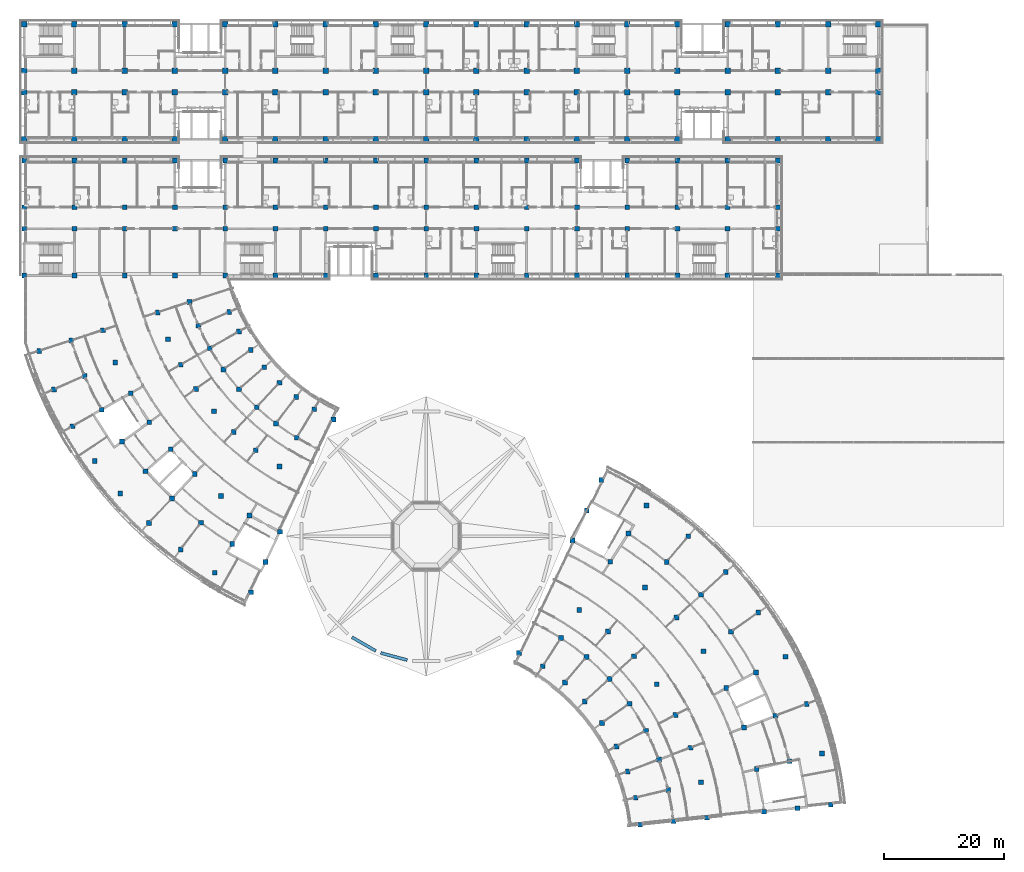
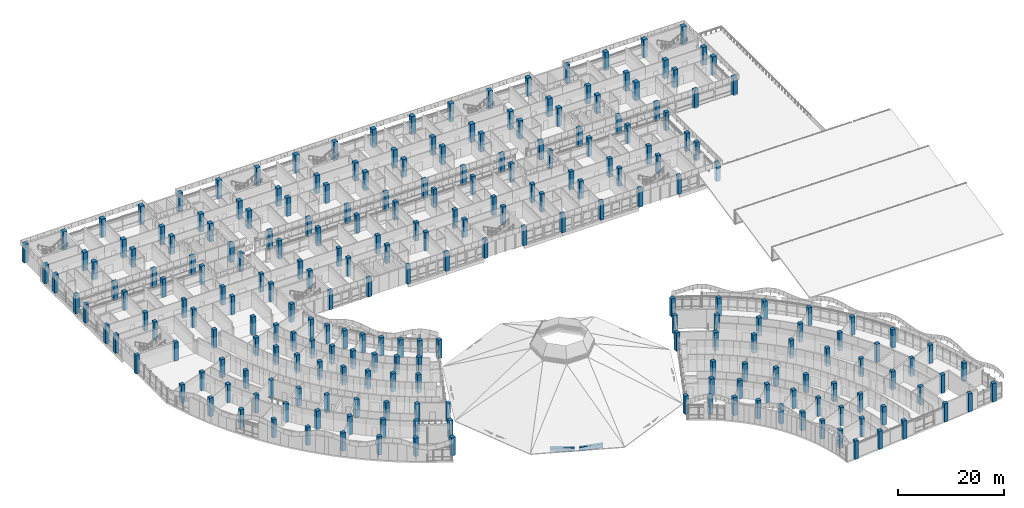
# One storey, part 1 of 137: 239 columns, 2 beams.
"""IFC4 building model written with IfcOpenShell, lengths in metres."""

from ifc_helpers import new_model, si_unit, direction, frame, origin, origin_2d, place, context, subcontext, project, spatial, rectangle, extrude, material, material_profile, profile_set, type_object, element, save


model = new_model("IFC4")

# Units and contexts
model_context = context("Model", 3, precision=1e-05, world=origin(), true_north=direction((0.0, 1.0)))
body_context = subcontext(model_context, "Body", "Model", "MODEL_VIEW")
ifc_project = project(units=[si_unit("LENGTHUNIT", "METRE"), si_unit("AREAUNIT", "SQUARE_METRE"), si_unit("VOLUMEUNIT", "CUBIC_METRE"), si_unit("PLANEANGLEUNIT", "RADIAN"), si_unit("MASSUNIT", "GRAM", prefix="KILO")], contexts=[model_context])

# Site, building, storey
site_placement = place(None, origin())
site = spatial("IfcSite", under=ifc_project, at=site_placement, CompositionType="ELEMENT")
building_placement = place(site_placement, origin())
building = spatial("IfcBuilding", under=site, at=building_placement, Name="Bougainvillea Quay General Hospital", CompositionType="ELEMENT")
storey_placement = place(building_placement, frame((0.0, 0.0, 16.800048828125)))
storey = spatial("IfcBuildingStorey", under=building, at=storey_placement, Name="L03", CompositionType="ELEMENT", Elevation=16.800048828125)

# Columns
ifc_material = material(Name="Concrete C40", Category="concrete")
ifc_material_profile_1 = material_profile(ifc_material, rectangle(XDim=0.800048828125, YDim=0.800048828125, at=origin_2d()))
ifc_profile_set_1 = profile_set([ifc_material_profile_1], Name="Concrete C40")
column_type_1 = type_object("IfcColumnType", Name="RC COL 800x800 C40", PredefinedType="COLUMN", material=ifc_profile_set_1)
for number, where, z_axis, x_axis, name in (
    (1, (42.0, 117.60009765625, 0.0), (0.0, 0.0, 1.0), (1.0, 0.0, 0.0), "Column C-V4-000 L03"),
    (2, (42.0, 125.39990234375, 0.0), (0.0, 0.0, 1.0), (1.0, 0.0, 0.0), "Column C-V4-001 L03"),
    (3, (42.0, 129.0, 0.0), (0.0, 0.0, 1.0), (1.0, 0.0, 0.0), "Column C-V4-002 L03"),
    (4, (42.0, 136.800048828125, 0.0), (0.0, 0.0, 1.0), (1.0, 0.0, 0.0), "Column C-V4-003 L03"),
    (5, (44.530029296875, 104.98193359375, 0.0), (0.0, 0.0, 1.0), (1.0, 0.0, 0.0), "Column C-V6-W80 L03"),
    (6, (46.989990234375, 98.5419921875, 0.0), (0.0, 0.0, 1.0), (1.0, 0.0, 0.0), "Column C-V6-W70 L03"),
    (7, (49.85498046875, 106.712890625, 0.0), (0.0, 0.0, 1.0), (1.0, 0.0, 0.0), "Column C-V6-W81 L03"),
    (8, (50.091064453125, 92.383056640625, 0.0), (0.0, 0.0, 1.0), (1.0, 0.0, 0.0), "Column C-V6-W60 L03"),
    (9, (50.39990234375, 117.60009765625, 0.0), (0.0, 0.0, 1.0), (1.0, 0.0, 0.0), "Column C-V4-010 L03"),
    (10, (50.39990234375, 125.39990234375, 0.0), (0.0, 0.0, 1.0), (1.0, 0.0, 0.0), "Column C-V4-011 L03"),
    (11, (50.39990234375, 129.0, 0.0), (0.0, 0.0, 1.0), (1.0, 0.0, 0.0), "Column C-V4-012 L03"),
    (12, (50.39990234375, 136.800048828125, 0.0), (0.0, 0.0, 1.0), (1.0, 0.0, 0.0), "Column C-V4-013 L03"),
    (13, (52.114013671875, 100.802978515625, 0.0), (0.0, 0.0, 1.0), (1.0, 0.0, 0.0), "Column C-V6-W71 L03"),
    (14, (53.799072265625, 86.570068359375, 0.0), (0.0, 0.0, 1.0), (1.0, 0.0, 0.0), "Column C-V6-W50 L03"),
    (15, (54.958984375, 95.152099609375, 0.0), (0.0, 0.0, 1.0), (1.0, 0.0, 0.0), "Column C-V6-W61 L03"),
    (16, (55.180908203125, 108.444091796875, 0.0), (0.0, 0.0, 1.0), (1.0, 0.0, 0.0), "Column C-V6-W82 L03"),
    (17, (57.237060546875, 103.06396484375, 0.0), (0.0, 0.0, 1.0), (1.0, 0.0, 0.0), "Column C-V6-W72 L03"),
    (18, (58.075927734375, 81.1630859375, 0.0), (0.0, 0.0, 1.0), (1.0, 0.0, 0.0), "Column C-V6-W40 L03"),
    (19, (58.361083984375, 89.81689453125, 0.0), (0.0, 0.0, 1.0), (1.0, 0.0, 0.0), "Column C-V6-W51 L03"),
    (20, (58.800048828125, 117.60009765625, 0.0), (0.0, 0.0, 1.0), (1.0, 0.0, 0.0), "Column C-V4-020 L03"),
    (21, (58.800048828125, 125.39990234375, 0.0), (0.0, 0.0, 1.0), (1.0, 0.0, 0.0), "Column C-V4-021 L03"),
    (22, (58.800048828125, 129.0, 0.0), (0.0, 0.0, 1.0), (1.0, 0.0, 0.0), "Column C-V4-022 L03"),
    (23, (58.800048828125, 136.800048828125, 0.0), (0.0, 0.0, 1.0), (1.0, 0.0, 0.0), "Column C-V4-023 L03"),
    (24, (59.825927734375, 97.919921875, 0.0), (0.0, 0.0, 1.0), (1.0, 0.0, 0.0), "Column C-V6-W62 L03"),
    (25, (62.287109375, 84.85498046875, 0.0), (0.0, 0.0, 1.0), (1.0, 0.0, 0.0), "Column C-V6-W41 L03"),
    (26, (62.8798828125, 76.216064453125, 0.0), (0.0, 0.0, 1.0), (1.0, 0.0, 0.0), "Column C-V6-W30 L03"),
    (27, (62.924072265625, 93.06494140625, 0.0), (0.0, 0.0, 1.0), (1.0, 0.0, 0.0), "Column C-V6-W52 L03"),
    (28, (64.31103515625, 111.410888671875, 0.0), (0.0, 0.0, 1.0), (1.0, 0.0, 0.0), "Column C-V6-W83 L03"),
    (29, (66.01904296875, 106.94091796875, 0.0), (0.0, 0.0, 1.0), (1.0, 0.0, 0.0), "Column C-V6-W73 L03"),
    (30, (66.4970703125, 88.548095703125, 0.0), (0.0, 0.0, 1.0), (1.0, 0.0, 0.0), "Column C-V6-W42 L03"),
    (31, (66.694091796875, 80.31591796875, 0.0), (0.0, 0.0, 1.0), (1.0, 0.0, 0.0), "Column C-V6-W31 L03"),
    (32, (67.199951171875, 117.60009765625, 0.0), (0.0, 0.0, 1.0), (1.0, 0.0, 0.0), "Column C-V4-030 L03"),
    (33, (67.199951171875, 125.39990234375, 0.0), (0.0, 0.0, 1.0), (1.0, 0.0, 0.0), "Column C-V4-031 L03"),
    (34, (67.199951171875, 129.0, 0.0), (0.0, 0.0, 1.0), (1.0, 0.0, 0.0), "Column C-V4-032 L03"),
    (35, (67.199951171875, 136.800048828125, 0.0), (0.0, 0.0, 1.0), (1.0, 0.0, 0.0), "Column C-V4-033 L03"),
    (36, (68.158935546875, 71.781005859375, 0.0), (0.0, 0.0, 1.0), (1.0, 0.0, 0.0), "Column C-V6-W20 L03"),
    (37, (68.1708984375, 102.666015625, 0.0), (0.0, 0.0, 1.0), (1.0, 0.0, 0.0), "Column C-V6-W63 L03"),
    (38, (69.636962890625, 113.14208984375, 0.0), (0.0, 0.0, 1.0), (1.0, 0.0, 0.0), "Column C-V6-W84 L03"),
    (39, (70.509033203125, 84.416015625, 0.0), (0.0, 0.0, 1.0), (1.0, 0.0, 0.0), "Column C-V6-W32 L03"),
    (40, (70.7451171875, 98.631103515625, 0.0), (0.0, 0.0, 1.0), (1.0, 0.0, 0.0), "Column C-V6-W53 L03"),
    (41, (71.14208984375, 109.201904296875, 0.0), (0.0, 0.0, 1.0), (1.0, 0.0, 0.0), "Column C-V6-W74 L03"),
    (42, (71.5390625, 76.2470703125, 0.0), (0.0, 0.0, 1.0), (1.0, 0.0, 0.0), "Column C-V6-W21 L03"),
    (43, (73.0390625, 105.43408203125, 0.0), (0.0, 0.0, 1.0), (1.0, 0.0, 0.0), "Column C-V6-W64 L03"),
    (44, (73.714111328125, 94.8779296875, 0.0), (0.0, 0.0, 1.0), (1.0, 0.0, 0.0), "Column C-V6-W43 L03"),
    (45, (73.861083984375, 67.904052734375, 0.0), (0.0, 0.0, 1.0), (1.0, 0.0, 0.0), "Column C-V6-W10 L03"),
    (46, (74.9189453125, 80.7119140625, 0.0), (0.0, 0.0, 1.0), (1.0, 0.0, 0.0), "Column C-V6-W22 L03"),
    (47, (75.30810546875, 101.8779296875, 0.0), (0.0, 0.0, 1.0), (1.0, 0.0, 0.0), "Column C-V6-W54 L03"),
    (48, (75.60009765625, 117.60009765625, 0.0), (0.0, 0.0, 1.0), (1.0, 0.0, 0.0), "Column C-V4-040 L03"),
    (49, (75.60009765625, 125.39990234375, 0.0), (0.0, 0.0, 1.0), (1.0, 0.0, 0.0), "Column C-V4-041 L03"),
    (50, (75.60009765625, 129.0, 0.0), (0.0, 0.0, 1.0), (1.0, 0.0, 0.0), "Column C-V4-042 L03"),
    (51, (75.60009765625, 136.800048828125, 0.0), (0.0, 0.0, 1.0), (1.0, 0.0, 0.0), "Column C-V4-043 L03"),
    (52, (76.26611328125, 111.462890625, 0.0), (0.0, 0.0, 1.0), (1.0, 0.0, 0.0), "Column C-V6-W75 L03"),
    (53, (76.77099609375, 72.68896484375, 0.0), (0.0, 0.0, 1.0), (1.0, 0.0, 0.0), "Column C-V6-W11 L03"),
    (54, (77.048095703125, 91.444091796875, 0.0), (0.0, 0.0, 1.0), (1.0, 0.0, 0.0), "Column C-V6-W33 L03"),
    (55, (77.906982421875, 108.202880859375, 0.0), (0.0, 0.0, 1.0), (1.0, 0.0, 0.0), "Column C-V6-W65 L03"),
    (56, (77.924072265625, 98.570068359375, 0.0), (0.0, 0.0, 1.0), (1.0, 0.0, 0.0), "Column C-V6-W44 L03"),
    (57, (79.680908203125, 77.472900390625, 0.0), (0.0, 0.0, 1.0), (1.0, 0.0, 0.0), "Column C-V6-W12 L03"),
    (58, (79.8701171875, 105.125, 0.0), (0.0, 0.0, 1.0), (1.0, 0.0, 0.0), "Column C-V6-W55 L03"),
    (59, (79.925048828125, 64.6240234375, 0.0), (0.0, 0.0, 1.0), (1.0, 0.0, 0.0), "Column C-V6-W00 L03"),
    (60, (80.712890625, 88.365966796875, 0.0), (0.0, 0.0, 1.0), (1.0, 0.0, 0.0), "Column C-V6-W23 L03"),
    (61, (80.863037109375, 95.5439453125, 0.0), (0.0, 0.0, 1.0), (1.0, 0.0, 0.0), "Column C-V6-W34 L03"),
    (62, (82.135009765625, 102.262939453125, 0.0), (0.0, 0.0, 1.0), (1.0, 0.0, 0.0), "Column C-V6-W45 L03"),
    (63, (82.3359375, 69.678955078125, 0.0), (0.0, 0.0, 1.0), (1.0, 0.0, 0.0), "Column C-V6-W01 L03"),
    (64, (84.0, 117.60009765625, 0.0), (0.0, 0.0, 1.0), (1.0, 0.0, 0.0), "Column C-V4-050 L03"),
    (65, (84.0, 125.39990234375, 0.0), (0.0, 0.0, 1.0), (1.0, 0.0, 0.0), "Column C-V4-051 L03"),
    (66, (84.0, 129.0, 0.0), (0.0, 0.0, 1.0), (1.0, 0.0, 0.0), "Column C-V4-052 L03"),
    (67, (84.0, 136.800048828125, 0.0), (0.0, 0.0, 1.0), (1.0, 0.0, 0.0), "Column C-V4-053 L03"),
    (68, (84.093017578125, 92.8310546875, 0.0), (0.0, 0.0, 1.0), (1.0, 0.0, 0.0), "Column C-V6-W24 L03"),
    (69, (84.669921875, 85.675048828125, 0.0), (0.0, 0.0, 1.0), (1.0, 0.0, 0.0), "Column C-V6-W13 L03"),
    (70, (84.677001953125, 99.64404296875, 0.0), (0.0, 0.0, 1.0), (1.0, 0.0, 0.0), "Column C-V6-W35 L03"),
    (71, (84.7470703125, 74.73291015625, 0.0), (0.0, 0.0, 1.0), (1.0, 0.0, 0.0), "Column C-V6-W02 L03"),
    (72, (87.471923828125, 97.2958984375, 0.0), (0.0, 0.0, 1.0), (1.0, 0.0, 0.0), "Column C-V6-W25 L03"),
    (73, (87.5810546875, 90.458984375, 0.0), (0.0, 0.0, 1.0), (1.0, 0.0, 0.0), "Column C-V6-W14 L03"),
    (74, (90.490966796875, 95.242919921875, 0.0), (0.0, 0.0, 1.0), (1.0, 0.0, 0.0), "Column C-V6-W15 L03"),
    (75, (92.39990234375, 117.60009765625, 0.0), (0.0, 0.0, 1.0), (1.0, 0.0, 0.0), "Column C-V4-060 L03"),
    (76, (92.39990234375, 125.39990234375, 0.0), (0.0, 0.0, 1.0), (1.0, 0.0, 0.0), "Column C-V4-061 L03"),
    (77, (92.39990234375, 129.0, 0.0), (0.0, 0.0, 1.0), (1.0, 0.0, 0.0), "Column C-V4-062 L03"),
    (78, (92.39990234375, 136.800048828125, 0.0), (0.0, 0.0, 1.0), (1.0, 0.0, 0.0), "Column C-V4-063 L03"),
    (79, (93.701904296875, 93.507080078125, 0.0), (0.0, 0.0, 1.0), (1.0, 0.0, 0.0), "Column C-V6-W05 L03"),
    (80, (100.800048828125, 117.60009765625, 0.0), (0.0, 0.0, 1.0), (1.0, 0.0, 0.0), "Column C-V4-070 L03"),
    (81, (100.800048828125, 125.39990234375, 0.0), (0.0, 0.0, 1.0), (1.0, 0.0, 0.0), "Column C-V4-071 L03"),
    (82, (100.800048828125, 129.0, 0.0), (0.0, 0.0, 1.0), (1.0, 0.0, 0.0), "Column C-V4-072 L03"),
    (83, (100.800048828125, 136.800048828125, 0.0), (0.0, 0.0, 1.0), (1.0, 0.0, 0.0), "Column C-V4-073 L03"),
    (84, (109.199951171875, 117.60009765625, 0.0), (0.0, 0.0, 1.0), (1.0, 0.0, 0.0), "Column C-V4-080 L03"),
    (85, (109.199951171875, 125.39990234375, 0.0), (0.0, 0.0, 1.0), (1.0, 0.0, 0.0), "Column C-V4-081 L03"),
    (86, (109.199951171875, 129.0, 0.0), (0.0, 0.0, 1.0), (1.0, 0.0, 0.0), "Column C-V4-082 L03"),
    (87, (109.199951171875, 136.800048828125, 0.0), (0.0, 0.0, 1.0), (1.0, 0.0, 0.0), "Column C-V4-083 L03"),
    (88, (117.60009765625, 117.60009765625, 0.0), (0.0, 0.0, 1.0), (1.0, 0.0, 0.0), "Column C-V4-090 L03"),
    (89, (117.60009765625, 125.39990234375, 0.0), (0.0, 0.0, 1.0), (1.0, 0.0, 0.0), "Column C-V4-091 L03"),
    (90, (117.60009765625, 129.0, 0.0), (0.0, 0.0, 1.0), (1.0, 0.0, 0.0), "Column C-V4-092 L03"),
    (91, (117.60009765625, 136.800048828125, 0.0), (0.0, 0.0, 1.0), (1.0, 0.0, 0.0), "Column C-V4-093 L03"),
    (92, (124.697998046875, 54.492919921875, 0.0), (0.0, 0.0, 1.0), (1.0, 0.0, 0.0), "Column C-V6-E05 L03"),
    (93, (126.0, 117.60009765625, 0.0), (0.0, 0.0, 1.0), (1.0, 0.0, 0.0), "Column C-V4-100 L03"),
    (94, (126.0, 125.39990234375, 0.0), (0.0, 0.0, 1.0), (1.0, 0.0, 0.0), "Column C-V4-101 L03"),
    (95, (126.0, 129.0, 0.0), (0.0, 0.0, 1.0), (1.0, 0.0, 0.0), "Column C-V4-102 L03"),
    (96, (126.0, 136.800048828125, 0.0), (0.0, 0.0, 1.0), (1.0, 0.0, 0.0), "Column C-V4-103 L03"),
    (97, (128.7080078125, 52.256103515625, 0.0), (0.0, 0.0, 1.0), (1.0, 0.0, 0.0), "Column C-V6-E15 L03"),
    (98, (131.741943359375, 56.962890625, 0.0), (0.0, 0.0, 1.0), (1.0, 0.0, 0.0), "Column C-V6-E14 L03"),
    (99, (132.39990234375, 49.527099609375, 0.0), (0.0, 0.0, 1.0), (1.0, 0.0, 0.0), "Column C-V6-E25 L03"),
    (100, (133.653076171875, 73.26708984375, 0.0), (0.0, 0.0, 1.0), (1.0, 0.0, 0.0), "Column C-V6-E02 L03"),
    (101, (134.39990234375, 117.60009765625, 0.0), (0.0, 0.0, 1.0), (1.0, 0.0, 0.0), "Column C-V4-110 L03"),
    (102, (134.39990234375, 125.39990234375, 0.0), (0.0, 0.0, 1.0), (1.0, 0.0, 0.0), "Column C-V4-111 L03"),
    (103, (134.39990234375, 129.0, 0.0), (0.0, 0.0, 1.0), (1.0, 0.0, 0.0), "Column C-V4-112 L03"),
    (104, (134.39990234375, 136.800048828125, 0.0), (0.0, 0.0, 1.0), (1.0, 0.0, 0.0), "Column C-V4-113 L03"),
    (105, (134.777099609375, 61.6689453125, 0.0), (0.0, 0.0, 1.0), (1.0, 0.0, 0.0), "Column C-V6-E13 L03"),
    (106, (135.715087890625, 46.35107421875, 0.0), (0.0, 0.0, 1.0), (1.0, 0.0, 0.0), "Column C-V6-E35 L03"),
    (107, (136.009033203125, 53.81005859375, 0.0), (0.0, 0.0, 1.0), (1.0, 0.0, 0.0), "Column C-V6-E24 L03"),
    (108, (136.06396484375, 78.321044921875, 0.0), (0.0, 0.0, 1.0), (1.0, 0.0, 0.0), "Column C-V6-E01 L03"),
    (109, (138.47509765625, 83.3759765625, 0.0), (0.0, 0.0, 1.0), (1.0, 0.0, 0.0), "Column C-V6-E00 L03"),
    (110, (138.597900390625, 42.778076171875, 0.0), (0.0, 0.0, 1.0), (1.0, 0.0, 0.0), "Column C-V6-E45 L03"),
    (111, (139.617919921875, 58.092041015625, 0.0), (0.0, 0.0, 1.0), (1.0, 0.0, 0.0), "Column C-V6-E23 L03"),
    (112, (139.839111328125, 50.138916015625, 0.0), (0.0, 0.0, 1.0), (1.0, 0.0, 0.0), "Column C-V6-E34 L03"),
    (113, (139.97900390625, 69.738037109375, 0.0), (0.0, 0.0, 1.0), (1.0, 0.0, 0.0), "Column C-V6-E12 L03"),
    (114, (141.00390625, 38.867919921875, 0.0), (0.0, 0.0, 1.0), (1.0, 0.0, 0.0), "Column C-V6-E55 L03"),
    (115, (142.800048828125, 117.60009765625, 0.0), (0.0, 0.0, 1.0), (1.0, 0.0, 0.0), "Column C-V4-120 L03"),
    (116, (142.800048828125, 125.39990234375, 0.0), (0.0, 0.0, 1.0), (1.0, 0.0, 0.0), "Column C-V4-121 L03"),
    (117, (142.800048828125, 129.0, 0.0), (0.0, 0.0, 1.0), (1.0, 0.0, 0.0), "Column C-V4-122 L03"),
    (118, (142.800048828125, 136.800048828125, 0.0), (0.0, 0.0, 1.0), (1.0, 0.0, 0.0), "Column C-V4-123 L03"),
    (119, (142.89208984375, 34.68310546875, 0.0), (0.0, 0.0, 1.0), (1.0, 0.0, 0.0), "Column C-V6-E65 L03"),
    (120, (143.013916015625, 74.444091796875, 0.0), (0.0, 0.0, 1.0), (1.0, 0.0, 0.0), "Column C-V6-E11 L03"),
    (121, (143.1708984375, 46.010009765625, 0.0), (0.0, 0.0, 1.0), (1.0, 0.0, 0.0), "Column C-V6-E44 L03"),
    (122, (143.964111328125, 53.927001953125, 0.0), (0.0, 0.0, 1.0), (1.0, 0.0, 0.0), "Column C-V6-E33 L03"),
    (123, (144.23193359375, 30.2919921875, 0.0), (0.0, 0.0, 1.0), (1.0, 0.0, 0.0), "Column C-V6-E75 L03"),
    (124, (145.0029296875, 25.76611328125, 0.0), (0.0, 0.0, 1.0), (1.0, 0.0, 0.0), "Column C-V6-E85 L03"),
    (125, (145.803955078125, 65.431884765625, 0.0), (0.0, 0.0, 1.0), (1.0, 0.0, 0.0), "Column C-V6-E22 L03"),
    (126, (145.950927734375, 41.491943359375, 0.0), (0.0, 0.0, 1.0), (1.0, 0.0, 0.0), "Column C-V6-E54 L03"),
    (127, (146.048095703125, 79.15087890625, 0.0), (0.0, 0.0, 1.0), (1.0, 0.0, 0.0), "Column C-V6-E10 L03"),
    (128, (147.7451171875, 49.242919921875, 0.0), (0.0, 0.0, 1.0), (1.0, 0.0, 0.0), "Column C-V6-E43 L03"),
    (129, (148.133056640625, 36.656005859375, 0.0), (0.0, 0.0, 1.0), (1.0, 0.0, 0.0), "Column C-V6-E64 L03"),
    (130, (149.4130859375, 69.714111328125, 0.0), (0.0, 0.0, 1.0), (1.0, 0.0, 0.0), "Column C-V6-E21 L03"),
    (131, (149.681884765625, 31.5810546875, 0.0), (0.0, 0.0, 1.0), (1.0, 0.0, 0.0), "Column C-V6-E74 L03"),
    (132, (150.572021484375, 26.35107421875, 0.0), (0.0, 0.0, 1.0), (1.0, 0.0, 0.0), "Column C-V6-E84 L03"),
    (133, (150.89794921875, 44.114990234375, 0.0), (0.0, 0.0, 1.0), (1.0, 0.0, 0.0), "Column C-V6-E53 L03"),
    (134, (151.033935546875, 60.419921875, 0.0), (0.0, 0.0, 1.0), (1.0, 0.0, 0.0), "Column C-V6-E32 L03"),
    (135, (151.199951171875, 117.60009765625, 0.0), (0.0, 0.0, 1.0), (1.0, 0.0, 0.0), "Column C-V4-130 L03"),
    (136, (151.199951171875, 125.39990234375, 0.0), (0.0, 0.0, 1.0), (1.0, 0.0, 0.0), "Column C-V4-131 L03"),
    (137, (151.199951171875, 129.0, 0.0), (0.0, 0.0, 1.0), (1.0, 0.0, 0.0), "Column C-V4-132 L03"),
    (138, (151.199951171875, 136.800048828125, 0.0), (0.0, 0.0, 1.0), (1.0, 0.0, 0.0), "Column C-V4-133 L03"),
    (139, (153.02197265625, 73.99609375, 0.0), (0.0, 0.0, 1.0), (1.0, 0.0, 0.0), "Column C-V6-E20 L03"),
    (140, (153.3740234375, 38.62890625, 0.0), (0.0, 0.0, 1.0), (1.0, 0.0, 0.0), "Column C-V6-E63 L03"),
    (141, (155.131103515625, 32.87109375, 0.0), (0.0, 0.0, 1.0), (1.0, 0.0, 0.0), "Column C-V6-E73 L03"),
    (142, (155.158935546875, 64.2080078125, 0.0), (0.0, 0.0, 1.0), (1.0, 0.0, 0.0), "Column C-V6-E31 L03"),
    (143, (155.583984375, 54.782958984375, 0.0), (0.0, 0.0, 1.0), (1.0, 0.0, 0.0), "Column C-V6-E42 L03"),
    (144, (156.14111328125, 26.93701171875, 0.0), (0.0, 0.0, 1.0), (1.0, 0.0, 0.0), "Column C-V6-E83 L03"),
    (145, (159.283935546875, 67.99609375, 0.0), (0.0, 0.0, 1.0), (1.0, 0.0, 0.0), "Column C-V6-E30 L03"),
    (146, (159.37890625, 48.613037109375, 0.0), (0.0, 0.0, 1.0), (1.0, 0.0, 0.0), "Column C-V6-E52 L03"),
    (147, (159.60009765625, 117.60009765625, 0.0), (0.0, 0.0, 1.0), (1.0, 0.0, 0.0), "Column C-V4-140 L03"),
    (148, (159.60009765625, 125.39990234375, 0.0), (0.0, 0.0, 1.0), (1.0, 0.0, 0.0), "Column C-V4-141 L03"),
    (149, (159.60009765625, 129.0, 0.0), (0.0, 0.0, 1.0), (1.0, 0.0, 0.0), "Column C-V4-142 L03"),
    (150, (159.60009765625, 136.800048828125, 0.0), (0.0, 0.0, 1.0), (1.0, 0.0, 0.0), "Column C-V4-143 L03"),
    (151, (160.156982421875, 58.01611328125, 0.0), (0.0, 0.0, 1.0), (1.0, 0.0, 0.0), "Column C-V6-E41 L03"),
    (152, (162.35791015625, 42.010986328125, 0.0), (0.0, 0.0, 1.0), (1.0, 0.0, 0.0), "Column C-V6-E62 L03"),
    (153, (164.326904296875, 51.237060546875, 0.0), (0.0, 0.0, 1.0), (1.0, 0.0, 0.0), "Column C-V6-E51 L03"),
    (154, (164.472900390625, 35.08203125, 0.0), (0.0, 0.0, 1.0), (1.0, 0.0, 0.0), "Column C-V6-E72 L03"),
    (155, (164.72998046875, 61.248046875, 0.0), (0.0, 0.0, 1.0), (1.0, 0.0, 0.0), "Column C-V6-E40 L03"),
    (156, (165.68798828125, 27.94091796875, 0.0), (0.0, 0.0, 1.0), (1.0, 0.0, 0.0), "Column C-V6-E82 L03"),
    (157, (167.59912109375, 43.98291015625, 0.0), (0.0, 0.0, 1.0), (1.0, 0.0, 0.0), "Column C-V6-E61 L03"),
    (158, (168.0, 117.60009765625, 0.0), (0.0, 0.0, 1.0), (1.0, 0.0, 0.0), "Column C-V4-150 L03"),
    (159, (168.0, 125.39990234375, 0.0), (0.0, 0.0, 1.0), (1.0, 0.0, 0.0), "Column C-V4-151 L03"),
    (160, (168.0, 129.0, 0.0), (0.0, 0.0, 1.0), (1.0, 0.0, 0.0), "Column C-V4-152 L03"),
    (161, (168.0, 136.800048828125, 0.0), (0.0, 0.0, 1.0), (1.0, 0.0, 0.0), "Column C-V4-153 L03"),
    (162, (169.27392578125, 53.861083984375, 0.0), (0.0, 0.0, 1.0), (1.0, 0.0, 0.0), "Column C-V6-E50 L03"),
    (163, (169.922119140625, 36.3720703125, 0.0), (0.0, 0.0, 1.0), (1.0, 0.0, 0.0), "Column C-V6-E71 L03"),
    (164, (171.258056640625, 28.527099609375, 0.0), (0.0, 0.0, 1.0), (1.0, 0.0, 0.0), "Column C-V6-E81 L03"),
    (165, (172.840087890625, 45.9560546875, 0.0), (0.0, 0.0, 1.0), (1.0, 0.0, 0.0), "Column C-V6-E60 L03"),
    (166, (175.3720703125, 37.662109375, 0.0), (0.0, 0.0, 1.0), (1.0, 0.0, 0.0), "Column C-V6-E70 L03"),
    (167, (176.826904296875, 29.113037109375, 0.0), (0.0, 0.0, 1.0), (1.0, 0.0, 0.0), "Column C-V6-E80 L03"),
):
    element("IfcColumn", number, at=place(storey_placement, frame(where, z_axis=z_axis, x_axis=x_axis)), inside=storey, type_object=column_type_1, Name=name, PredefinedType="COLUMN", context=body_context, shape_type="SweptSolid", body=[
        extrude(rectangle(XDim=0.800048828125, YDim=0.800048828125, at=origin_2d()), origin(), (0.0, 0.0, 1.0), 4.199951171875),
    ])
ifc_material_profile_2 = material_profile(ifc_material, rectangle(XDim=0.89990234375, YDim=0.89990234375, at=origin_2d()))
ifc_profile_set_2 = profile_set([ifc_material_profile_2], Name="Concrete C40")
column_type_2 = type_object("IfcColumnType", Name="RC COL 900x900 C40", PredefinedType="COLUMN", material=ifc_profile_set_2)
for number, where, z_axis, x_axis, name in (
    (168, (42.0, 140.39990234375, 0.0), (0.0, 0.0, 1.0), (1.0, 0.0, 0.0), "Column C-V4-004 L03"),
    (169, (42.0, 148.199951171875, 0.0), (0.0, 0.0, 1.0), (1.0, 0.0, 0.0), "Column C-V4-005 L03"),
    (170, (42.0, 151.800048828125, 0.0), (0.0, 0.0, 1.0), (1.0, 0.0, 0.0), "Column C-V4-006 L03"),
    (171, (42.0, 159.60009765625, 0.0), (0.0, 0.0, 1.0), (1.0, 0.0, 0.0), "Column C-V4-007 L03"),
    (172, (50.39990234375, 140.39990234375, 0.0), (0.0, 0.0, 1.0), (1.0, 0.0, 0.0), "Column C-V4-014 L03"),
    (173, (50.39990234375, 148.199951171875, 0.0), (0.0, 0.0, 1.0), (1.0, 0.0, 0.0), "Column C-V4-015 L03"),
    (174, (50.39990234375, 151.800048828125, 0.0), (0.0, 0.0, 1.0), (1.0, 0.0, 0.0), "Column C-V4-016 L03"),
    (175, (50.39990234375, 159.60009765625, 0.0), (0.0, 0.0, 1.0), (1.0, 0.0, 0.0), "Column C-V4-017 L03"),
    (176, (58.800048828125, 140.39990234375, 0.0), (0.0, 0.0, 1.0), (1.0, 0.0, 0.0), "Column C-V4-024 L03"),
    (177, (58.800048828125, 148.199951171875, 0.0), (0.0, 0.0, 1.0), (1.0, 0.0, 0.0), "Column C-V4-025 L03"),
    (178, (58.800048828125, 151.800048828125, 0.0), (0.0, 0.0, 1.0), (1.0, 0.0, 0.0), "Column C-V4-026 L03"),
    (179, (58.800048828125, 159.60009765625, 0.0), (0.0, 0.0, 1.0), (1.0, 0.0, 0.0), "Column C-V4-027 L03"),
    (180, (67.199951171875, 140.39990234375, 0.0), (0.0, 0.0, 1.0), (1.0, 0.0, 0.0), "Column C-V4-034 L03"),
    (181, (67.199951171875, 148.199951171875, 0.0), (0.0, 0.0, 1.0), (1.0, 0.0, 0.0), "Column C-V4-035 L03"),
    (182, (67.199951171875, 151.800048828125, 0.0), (0.0, 0.0, 1.0), (1.0, 0.0, 0.0), "Column C-V4-036 L03"),
    (183, (67.199951171875, 159.60009765625, 0.0), (0.0, 0.0, 1.0), (1.0, 0.0, 0.0), "Column C-V4-037 L03"),
    (184, (75.60009765625, 140.39990234375, 0.0), (0.0, 0.0, 1.0), (1.0, 0.0, 0.0), "Column C-V4-044 L03"),
    (185, (75.60009765625, 148.199951171875, 0.0), (0.0, 0.0, 1.0), (1.0, 0.0, 0.0), "Column C-V4-045 L03"),
    (186, (75.60009765625, 151.800048828125, 0.0), (0.0, 0.0, 1.0), (1.0, 0.0, 0.0), "Column C-V4-046 L03"),
    (187, (75.60009765625, 159.60009765625, 0.0), (0.0, 0.0, 1.0), (1.0, 0.0, 0.0), "Column C-V4-047 L03"),
    (188, (84.0, 140.39990234375, 0.0), (0.0, 0.0, 1.0), (1.0, 0.0, 0.0), "Column C-V4-054 L03"),
    (189, (84.0, 148.199951171875, 0.0), (0.0, 0.0, 1.0), (1.0, 0.0, 0.0), "Column C-V4-055 L03"),
    (190, (84.0, 151.800048828125, 0.0), (0.0, 0.0, 1.0), (1.0, 0.0, 0.0), "Column C-V4-056 L03"),
    (191, (84.0, 159.60009765625, 0.0), (0.0, 0.0, 1.0), (1.0, 0.0, 0.0), "Column C-V4-057 L03"),
    (192, (92.39990234375, 140.39990234375, 0.0), (0.0, 0.0, 1.0), (1.0, 0.0, 0.0), "Column C-V4-064 L03"),
    (193, (92.39990234375, 148.199951171875, 0.0), (0.0, 0.0, 1.0), (1.0, 0.0, 0.0), "Column C-V4-065 L03"),
    (194, (92.39990234375, 151.800048828125, 0.0), (0.0, 0.0, 1.0), (1.0, 0.0, 0.0), "Column C-V4-066 L03"),
    (195, (92.39990234375, 159.60009765625, 0.0), (0.0, 0.0, 1.0), (1.0, 0.0, 0.0), "Column C-V4-067 L03"),
    (196, (100.800048828125, 140.39990234375, 0.0), (0.0, 0.0, 1.0), (1.0, 0.0, 0.0), "Column C-V4-074 L03"),
    (197, (100.800048828125, 148.199951171875, 0.0), (0.0, 0.0, 1.0), (1.0, 0.0, 0.0), "Column C-V4-075 L03"),
    (198, (100.800048828125, 151.800048828125, 0.0), (0.0, 0.0, 1.0), (1.0, 0.0, 0.0), "Column C-V4-076 L03"),
    (199, (100.800048828125, 159.60009765625, 0.0), (0.0, 0.0, 1.0), (1.0, 0.0, 0.0), "Column C-V4-077 L03"),
    (200, (109.199951171875, 140.39990234375, 0.0), (0.0, 0.0, 1.0), (1.0, 0.0, 0.0), "Column C-V4-084 L03"),
    (201, (109.199951171875, 148.199951171875, 0.0), (0.0, 0.0, 1.0), (1.0, 0.0, 0.0), "Column C-V4-085 L03"),
    (202, (109.199951171875, 151.800048828125, 0.0), (0.0, 0.0, 1.0), (1.0, 0.0, 0.0), "Column C-V4-086 L03"),
    (203, (109.199951171875, 159.60009765625, 0.0), (0.0, 0.0, 1.0), (1.0, 0.0, 0.0), "Column C-V4-087 L03"),
    (204, (117.60009765625, 140.39990234375, 0.0), (0.0, 0.0, 1.0), (1.0, 0.0, 0.0), "Column C-V4-094 L03"),
    (205, (117.60009765625, 148.199951171875, 0.0), (0.0, 0.0, 1.0), (1.0, 0.0, 0.0), "Column C-V4-095 L03"),
    (206, (117.60009765625, 151.800048828125, 0.0), (0.0, 0.0, 1.0), (1.0, 0.0, 0.0), "Column C-V4-096 L03"),
    (207, (117.60009765625, 159.60009765625, 0.0), (0.0, 0.0, 1.0), (1.0, 0.0, 0.0), "Column C-V4-097 L03"),
    (208, (126.0, 140.39990234375, 0.0), (0.0, 0.0, 1.0), (1.0, 0.0, 0.0), "Column C-V4-104 L03"),
    (209, (126.0, 148.199951171875, 0.0), (0.0, 0.0, 1.0), (1.0, 0.0, 0.0), "Column C-V4-105 L03"),
    (210, (126.0, 151.800048828125, 0.0), (0.0, 0.0, 1.0), (1.0, 0.0, 0.0), "Column C-V4-106 L03"),
    (211, (126.0, 159.60009765625, 0.0), (0.0, 0.0, 1.0), (1.0, 0.0, 0.0), "Column C-V4-107 L03"),
    (212, (134.39990234375, 140.39990234375, 0.0), (0.0, 0.0, 1.0), (1.0, 0.0, 0.0), "Column C-V4-114 L03"),
    (213, (134.39990234375, 148.199951171875, 0.0), (0.0, 0.0, 1.0), (1.0, 0.0, 0.0), "Column C-V4-115 L03"),
    (214, (134.39990234375, 151.800048828125, 0.0), (0.0, 0.0, 1.0), (1.0, 0.0, 0.0), "Column C-V4-116 L03"),
    (215, (134.39990234375, 159.60009765625, 0.0), (0.0, 0.0, 1.0), (1.0, 0.0, 0.0), "Column C-V4-117 L03"),
    (216, (142.800048828125, 140.39990234375, 0.0), (0.0, 0.0, 1.0), (1.0, 0.0, 0.0), "Column C-V4-124 L03"),
    (217, (142.800048828125, 148.199951171875, 0.0), (0.0, 0.0, 1.0), (1.0, 0.0, 0.0), "Column C-V4-125 L03"),
    (218, (142.800048828125, 151.800048828125, 0.0), (0.0, 0.0, 1.0), (1.0, 0.0, 0.0), "Column C-V4-126 L03"),
    (219, (142.800048828125, 159.60009765625, 0.0), (0.0, 0.0, 1.0), (1.0, 0.0, 0.0), "Column C-V4-127 L03"),
    (220, (151.199951171875, 140.39990234375, 0.0), (0.0, 0.0, 1.0), (1.0, 0.0, 0.0), "Column C-V4-134 L03"),
    (221, (151.199951171875, 148.199951171875, 0.0), (0.0, 0.0, 1.0), (1.0, 0.0, 0.0), "Column C-V4-135 L03"),
    (222, (151.199951171875, 151.800048828125, 0.0), (0.0, 0.0, 1.0), (1.0, 0.0, 0.0), "Column C-V4-136 L03"),
    (223, (151.199951171875, 159.60009765625, 0.0), (0.0, 0.0, 1.0), (1.0, 0.0, 0.0), "Column C-V4-137 L03"),
    (224, (159.60009765625, 140.39990234375, 0.0), (0.0, 0.0, 1.0), (1.0, 0.0, 0.0), "Column C-V4-144 L03"),
    (225, (159.60009765625, 148.199951171875, 0.0), (0.0, 0.0, 1.0), (1.0, 0.0, 0.0), "Column C-V4-145 L03"),
    (226, (159.60009765625, 151.800048828125, 0.0), (0.0, 0.0, 1.0), (1.0, 0.0, 0.0), "Column C-V4-146 L03"),
    (227, (159.60009765625, 159.60009765625, 0.0), (0.0, 0.0, 1.0), (1.0, 0.0, 0.0), "Column C-V4-147 L03"),
    (228, (168.0, 140.39990234375, 0.0), (0.0, 0.0, 1.0), (1.0, 0.0, 0.0), "Column C-V4-154 L03"),
    (229, (168.0, 148.199951171875, 0.0), (0.0, 0.0, 1.0), (1.0, 0.0, 0.0), "Column C-V4-155 L03"),
    (230, (168.0, 151.800048828125, 0.0), (0.0, 0.0, 1.0), (1.0, 0.0, 0.0), "Column C-V4-156 L03"),
    (231, (168.0, 159.60009765625, 0.0), (0.0, 0.0, 1.0), (1.0, 0.0, 0.0), "Column C-V4-157 L03"),
    (232, (176.39990234375, 140.39990234375, 0.0), (0.0, 0.0, 1.0), (1.0, 0.0, 0.0), "Column C-V4-164 L03"),
    (233, (176.39990234375, 148.199951171875, 0.0), (0.0, 0.0, 1.0), (1.0, 0.0, 0.0), "Column C-V4-165 L03"),
    (234, (176.39990234375, 151.800048828125, 0.0), (0.0, 0.0, 1.0), (1.0, 0.0, 0.0), "Column C-V4-166 L03"),
    (235, (176.39990234375, 159.60009765625, 0.0), (0.0, 0.0, 1.0), (1.0, 0.0, 0.0), "Column C-V4-167 L03"),
    (236, (184.800048828125, 140.39990234375, 0.0), (0.0, 0.0, 1.0), (1.0, 0.0, 0.0), "Column C-V4-174 L03"),
    (237, (184.800048828125, 148.199951171875, 0.0), (0.0, 0.0, 1.0), (1.0, 0.0, 0.0), "Column C-V4-175 L03"),
    (238, (184.800048828125, 151.800048828125, 0.0), (0.0, 0.0, 1.0), (1.0, 0.0, 0.0), "Column C-V4-176 L03"),
    (239, (184.800048828125, 159.60009765625, 0.0), (0.0, 0.0, 1.0), (1.0, 0.0, 0.0), "Column C-V4-177 L03"),
):
    element("IfcColumn", number, at=place(storey_placement, frame(where, z_axis=z_axis, x_axis=x_axis)), inside=storey, type_object=column_type_2, Name=name, PredefinedType="COLUMN", context=body_context, shape_type="SweptSolid", body=[
        extrude(rectangle(XDim=0.89990234375, YDim=0.89990234375, at=origin_2d()), origin(), (0.0, 0.0, 1.0), 4.199951171875),
    ])

# Beams
ifc_material_profile_3 = material_profile(ifc_material, rectangle(XDim=0.5, YDim=0.89990234375, at=origin_2d()))
ifc_profile_set_3 = profile_set([ifc_material_profile_3], Name="Concrete C40")
beam_type = type_object("IfcBeamType", Name="RC BEAM 500x900 C40", PredefinedType="BEAM", material=ifc_profile_set_3)
beam_1_placement = place(storey_placement, frame((96.8056640625, 57.114990234375, -0.0517578125), z_axis=(0.866044519823, -0.499966888589, 0.0), x_axis=(0.499966888589, 0.866044519823, 0.0)))
element("IfcBeam", 240, at=beam_1_placement, inside=storey, type_object=beam_type, Name="Beam ROOF-V1-ER-16", PredefinedType="BEAM", context=body_context, shape_type="SweptSolid", body=[
    extrude(rectangle(XDim=0.5, YDim=0.89990234375, at=origin_2d()), origin(), (0.0, 0.0, 1.0), 4.582275390625),
])
beam_2_placement = place(storey_placement, frame((101.5986328125, 54.482421875, -0.0517578125), z_axis=(0.965917606343, -0.258849720411, 0.0), x_axis=(0.258849720411, 0.965917606343, 0.0)))
element("IfcBeam", 241, at=beam_2_placement, inside=storey, type_object=beam_type, Name="Beam ROOF-V1-ER-17", PredefinedType="BEAM", context=body_context, shape_type="SweptSolid", body=[
    extrude(rectangle(XDim=0.5, YDim=0.89990234375, at=origin_2d()), origin(), (0.0, 0.0, 1.0), 4.58203125),
])

save(model, "model.ifc")
